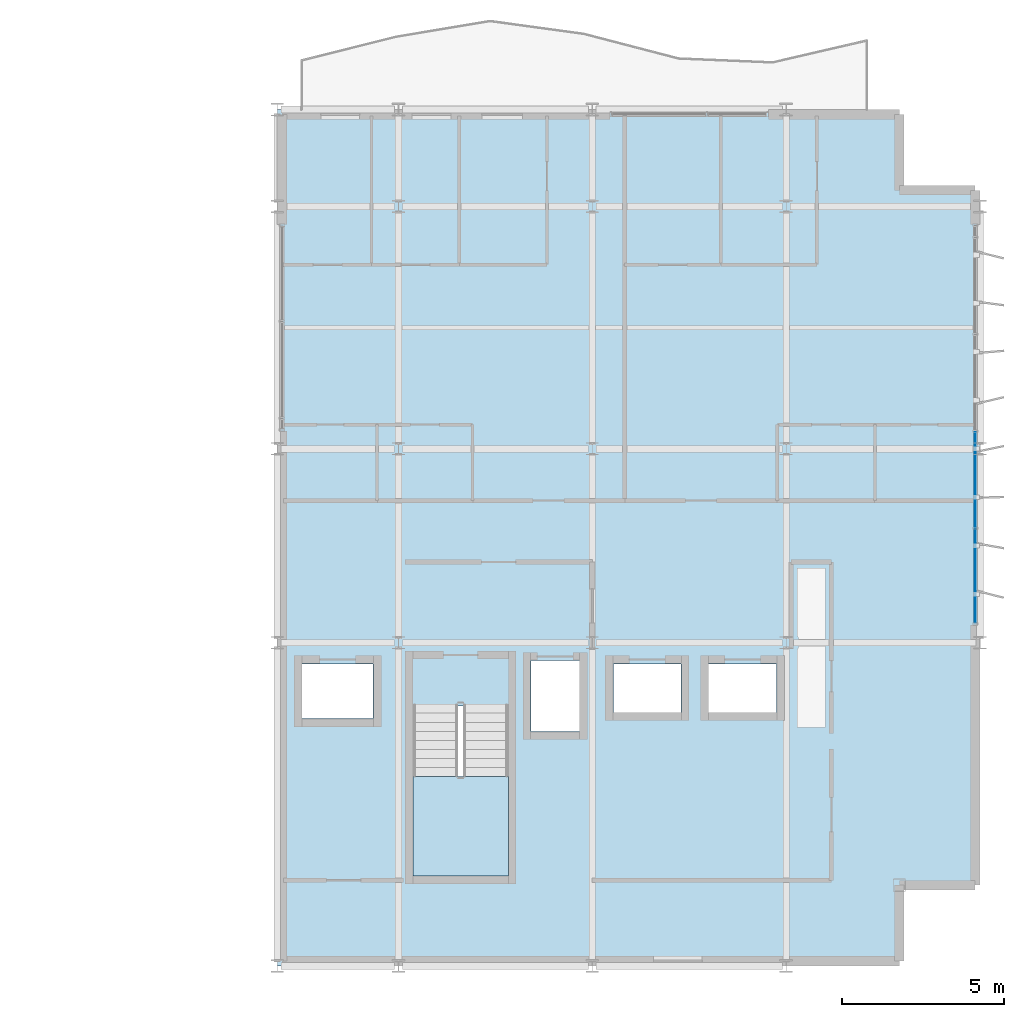
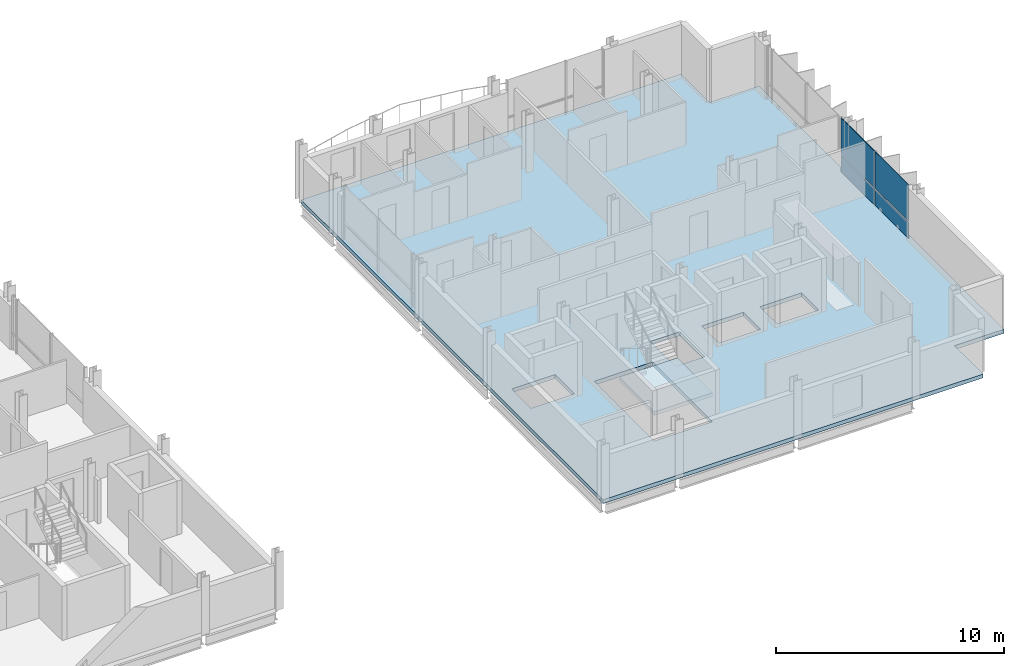
# One storey, part 17 of 28: 4 plates, 2 slabs, 2 elements without a shape of their own.
"""IFC4 building model written with IfcOpenShell, lengths in metres."""

from ifc_helpers import new_model, si_unit, direction, frame, origin, origin_2d, place, context, subcontext, project, spatial, polyline, rectangle, outline, extrude, material, layer, layer_set, type_object, element, aggregate, save


model = new_model("IFC4")

# Units and contexts
model_context = context("Model", 3, precision=1e-05, world=origin(), true_north=direction((0.0, 1.0)))
body_context = subcontext(model_context, "Body", "Model", "MODEL_VIEW")
ifc_project = project(units=[si_unit("LENGTHUNIT", "METRE"), si_unit("AREAUNIT", "SQUARE_METRE"), si_unit("VOLUMEUNIT", "CUBIC_METRE"), si_unit("PLANEANGLEUNIT", "RADIAN"), si_unit("MASSUNIT", "GRAM", prefix="KILO")], contexts=[model_context])

# Site, building, storey
site_placement = place(None, origin())
site = spatial("IfcSite", under=ifc_project, at=site_placement, CompositionType="ELEMENT")
building_placement = place(site_placement, origin())
building = spatial("IfcBuilding", under=site, at=building_placement, Name="Brevholm Reach", CompositionType="ELEMENT")
storey_placement = place(building_placement, frame((0.0, 0.0, 192.5)))
storey = spatial("IfcBuildingStorey", under=building, at=storey_placement, Name="L58", CompositionType="ELEMENT", Elevation=192.5)

# Curtain wall, plates
ifc_material_1 = material(Name="Dark Anodised Aluminium 6063-T6 and Solar-Control Glass", Category="aluminium")
ifc_layer_1 = layer(ifc_material_1, 0.14990234375)
ifc_layer_set_1 = layer_set([ifc_layer_1], Name="Dark Anodised Aluminium 6063-T6 and Solar-Control Glass")
curtain_wall_type = type_object("IfcCurtainWallType", Name="CW-01", PredefinedType="NOTDEFINED", material=ifc_layer_set_1)
curtain_wall_placement = place(storey_placement, origin())
curtain_wall = element("IfcCurtainWall", 1, at=curtain_wall_placement, inside=storey, type_object=curtain_wall_type, Name="L58 Curtain Wall CW-01", PredefinedType="NOTDEFINED")
ifc_material_2 = material(Name="Dark Solar-Control Double-Glazed IGU Glass", Category="glass")
ifc_layer_2 = layer(ifc_material_2, 0.028076171875)
ifc_layer_set_2 = layer_set([ifc_layer_2], Name="Dark Solar-Control Double-Glazed IGU Glass")
plate_type = type_object("IfcPlateType", Name="CWP-GLZ-28", PredefinedType="CURTAIN_PANEL", material=ifc_layer_set_2)
plate_1_placement = place(storey_placement, frame((59.85009765625, 12.066162109375, 0.0), z_axis=(0.0, 0.0, 1.0), x_axis=(0.0, 1.0, 0.0)))
plate_1 = element("IfcPlate", 2, at=plate_1_placement, type_object=plate_type, Name="CP-01 Glazing Panel 1.1", PredefinedType="CURTAIN_PANEL", context=body_context, shape_type="SweptSolid", body=[
    extrude(rectangle(XDim=2.902587890625, YDim=0.028076171875, at=origin_2d()), origin(), (0.0, 0.0, 1.0), 0.867431640625),
])
plate_2_placement = place(storey_placement, frame((59.85009765625, 12.066162109375, 0.932373046875), z_axis=(0.0, 0.0, 1.0), x_axis=(0.0, 1.0, 0.0)))
plate_2 = element("IfcPlate", 3, at=plate_2_placement, type_object=plate_type, Name="CP-01 Glazing Panel 1.2", PredefinedType="CURTAIN_PANEL", context=body_context, shape_type="SweptSolid", body=[
    extrude(rectangle(XDim=2.902587890625, YDim=0.028076171875, at=origin_2d()), origin(), (0.0, 0.0, 1.0), 1.95751953125),
])
plate_3_placement = place(storey_placement, frame((59.85009765625, 15.050048828125, 0.0), z_axis=(0.0, 0.0, 1.0), x_axis=(0.0, 1.0, 0.0)))
plate_3 = element("IfcPlate", 4, at=plate_3_placement, type_object=plate_type, Name="CP-01 Glazing Panel 2.1", PredefinedType="CURTAIN_PANEL", context=body_context, shape_type="SweptSolid", body=[
    extrude(rectangle(XDim=2.93505859375, YDim=0.028076171875, at=origin_2d()), origin(), (0.0, 0.0, 1.0), 0.867431640625),
])
plate_4_placement = place(storey_placement, frame((59.85009765625, 15.050048828125, 0.932373046875), z_axis=(0.0, 0.0, 1.0), x_axis=(0.0, 1.0, 0.0)))
plate_4 = element("IfcPlate", 5, at=plate_4_placement, type_object=plate_type, Name="CP-01 Glazing Panel 2.2", PredefinedType="CURTAIN_PANEL", context=body_context, shape_type="SweptSolid", body=[
    extrude(rectangle(XDim=2.93505859375, YDim=0.028076171875, at=origin_2d()), origin(), (0.0, 0.0, 1.0), 1.95751953125),
])
aggregate(curtain_wall, [plate_1, plate_2, plate_3, plate_4])

# Slab
ifc_material_3 = material(Name="Concrete C40/50", Category="concrete")
ifc_layer_3 = layer(ifc_material_3, 0.2099609375)
ifc_layer_set_3 = layer_set([ifc_layer_3], Name="Concrete C40/50")
slab_type_1 = type_object("IfcSlabType", Name="SLB-FL-210", PredefinedType="FLOOR", material=ifc_layer_set_3)
slab_1_placement = place(storey_placement, frame((0.0, 0.0, -0.2099609375)))
element("IfcSlab", 6, at=slab_1_placement, inside=storey, type_object=slab_type_1, Name="L58 Suspended Floor Slab (east-wing)", PredefinedType="FLOOR", context=body_context, shape_type="SweptSolid", body=[
    extrude(outline(polyline([(38.25, 0.0), (57.5, 0.0), (57.5, 2.5), (60.0, 2.5), (60.0, 24.0), (57.5, 24.0), (57.5, 26.5), (38.25, 26.5), (38.25, 0.0)]), holes=[polyline([(42.449951171875, 2.780029296875), (45.39990234375, 2.780029296875), (45.39990234375, 8.044921875), (42.449951171875, 8.044921875), (42.449951171875, 2.780029296875)]), polyline([(46.10009765625, 7.25), (47.60009765625, 7.25), (47.60009765625, 9.449951171875), (46.10009765625, 9.449951171875), (46.10009765625, 7.25)]), polyline([(39.02001953125, 7.64990234375), (41.219970703125, 7.64990234375), (41.219970703125, 9.35009765625), (39.02001953125, 9.35009765625), (39.02001953125, 7.64990234375)]), polyline([(48.64990234375, 7.85009765625), (50.75, 7.85009765625), (50.75, 9.35009765625), (48.64990234375, 9.35009765625), (48.64990234375, 7.85009765625)]), polyline([(51.60009765625, 7.85009765625), (53.699951171875, 7.85009765625), (53.699951171875, 9.35009765625), (51.60009765625, 9.35009765625), (51.60009765625, 7.85009765625)])]), origin(), (0.0, 0.0, 1.0), 0.2099609375),
])

# Stair, slab
ifc_material_4 = material(Name="Precast Concrete C40/50", Category="concrete")
stair_type = type_object("IfcStairType", Name="STR-ESC-1400", PredefinedType="DOUBLE_RETURN_STAIR", material=ifc_material_4)
stair_placement = place(storey_placement, origin())
stair = element("IfcStair", 7, at=stair_placement, inside=storey, type_object=stair_type, Name="L58 ST-2", PredefinedType="DOUBLE_RETURN_STAIR")
ifc_material_5 = material(Name="Concrete C40/50", Category="concrete")
ifc_layer_4 = layer(ifc_material_5, 0.199951171875)
ifc_layer_set_4 = layer_set([ifc_layer_4], Name="Concrete C40/50")
slab_type_2 = type_object("IfcSlabType", Name="SLB-LND-200", PredefinedType="LANDING", material=ifc_layer_set_4)
slab_2_placement = place(storey_placement, frame((0.0, 0.0, 1.35009765625)))
slab_2 = element("IfcSlab", 8, at=slab_2_placement, type_object=slab_type_2, Name="ST-2 landing 1", PredefinedType="LANDING", context=body_context, shape_type="SweptSolid", body=[
    extrude(outline(polyline([(42.449951171875, 5.860107421875), (42.449951171875, 2.780029296875), (45.39990234375, 2.780029296875), (45.39990234375, 5.860107421875), (42.449951171875, 5.860107421875)])), origin(), (0.0, 0.0, 1.0), 0.199951171875),
])
aggregate(stair, [slab_2])

save(model, "model.ifc")
